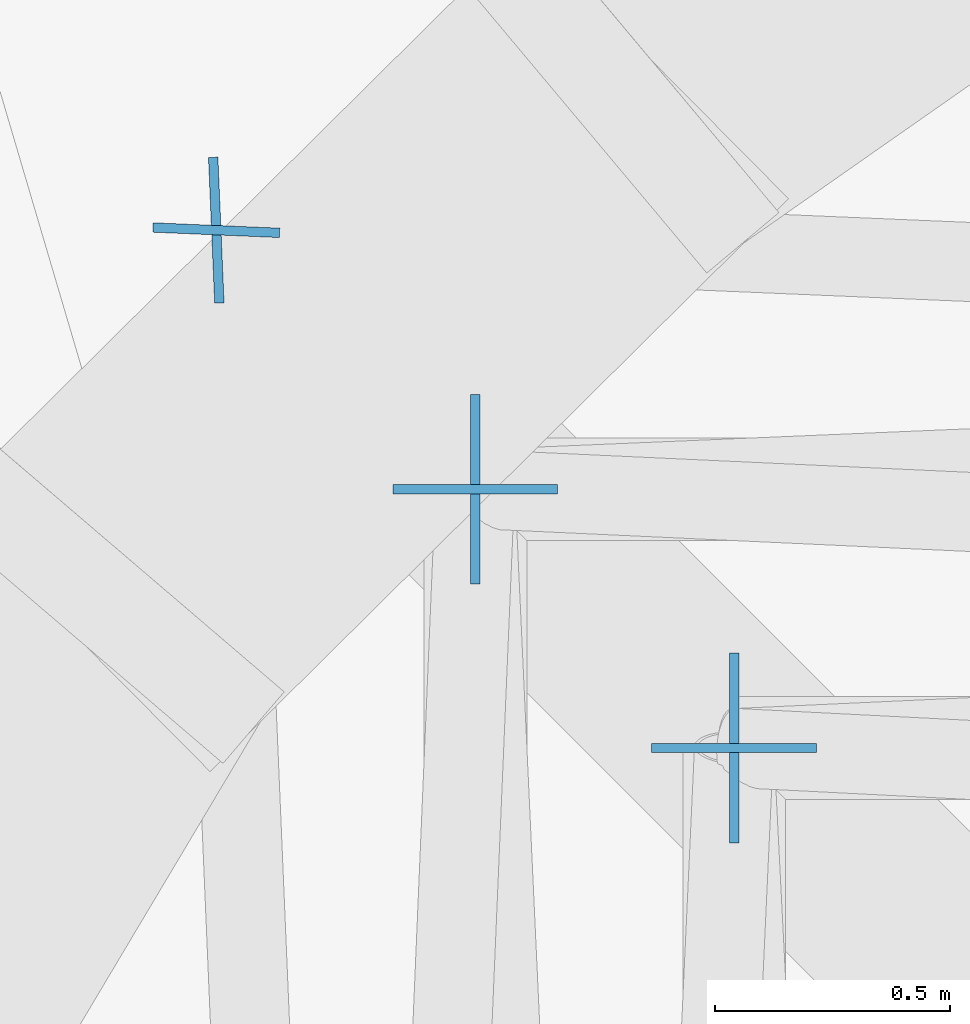
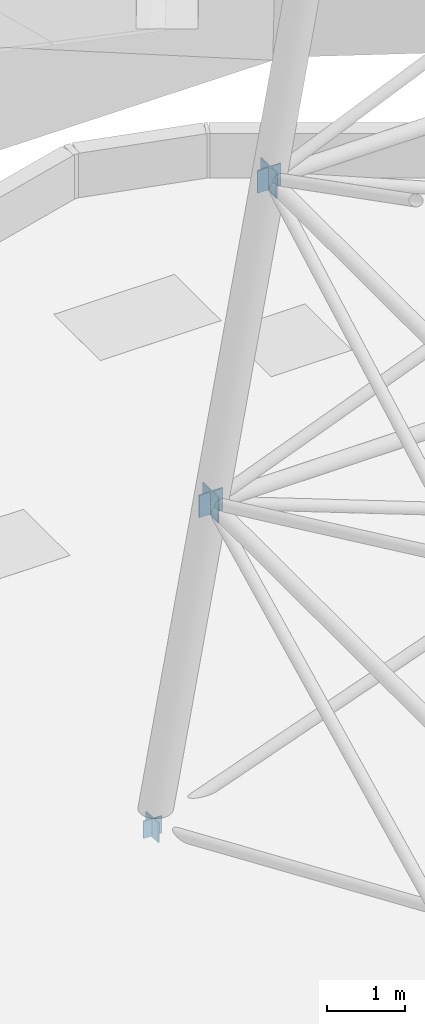
# One storey, part 9 of 27: 6 discrete accessories.
"""IFC4 building model written with IfcOpenShell, lengths in metres."""

from ifc_helpers import new_model, si_unit, direction, frame, origin, origin_2d, place, context, subcontext, project, spatial, rectangle, extrude, material, layer, layer_set, type_object, element, save


model = new_model("IFC4")

# Units and contexts
model_context = context("Model", 3, precision=1e-05, world=origin(), true_north=direction((0.0, 1.0)))
body_context = subcontext(model_context, "Body", "Model", "MODEL_VIEW")
ifc_project = project(units=[si_unit("LENGTHUNIT", "METRE"), si_unit("AREAUNIT", "SQUARE_METRE"), si_unit("VOLUMEUNIT", "CUBIC_METRE"), si_unit("PLANEANGLEUNIT", "RADIAN"), si_unit("MASSUNIT", "GRAM", prefix="KILO")], contexts=[model_context])

# Site, building, storey
site_placement = place(None, origin())
site = spatial("IfcSite", under=ifc_project, at=site_placement, CompositionType="ELEMENT")
building_placement = place(site_placement, origin())
building = spatial("IfcBuilding", under=site, at=building_placement, Name="Ayvan Gate Tower", CompositionType="ELEMENT")
storey_placement = place(building_placement, frame((0.0, 0.0, 267.699951171875)))
storey = spatial("IfcBuildingStorey", under=building, at=storey_placement, Name="Roof", CompositionType="ELEMENT", Elevation=267.699951171875)

# Discrete accessories
ifc_material = material(Name="Steel S460ML", Category="steel")
ifc_layer = layer(ifc_material, 0.02001953125)
ifc_layer_set = layer_set([ifc_layer], Name="Steel S460ML")
discrete_accessory_type = type_object("IfcDiscreteAccessoryType", Name="Gusset plate 20 mm", PredefinedType="BRACKET", material=ifc_layer_set)
discrete_accessory_1_placement = place(storey_placement, frame((-6.771484375, 6.771484375, -0.134765625), z_axis=(0.0, 0.0, 1.0), x_axis=(-0.999104610978, 0.042308111772, 0.0)))
element("IfcDiscreteAccessory", 1, at=discrete_accessory_1_placement, inside=storey, type_object=discrete_accessory_type, Name="Gusset plate MAST BRACE 1-1B", PredefinedType="BRACKET", context=body_context, shape_type="SweptSolid", body=[
    extrude(rectangle(XDim=0.269287109375, YDim=0.02001953125, at=origin_2d()), origin(), (0.0, 0.0, 1.0), 0.269287109375),
])
discrete_accessory_2_placement = place(storey_placement, frame((-6.771484375, 6.771484375, -0.15478515625), z_axis=(0.0, 0.0, 1.0), x_axis=(-0.042308111772, 0.999104610978, 0.0)))
element("IfcDiscreteAccessory", 2, at=discrete_accessory_2_placement, inside=storey, type_object=discrete_accessory_type, Name="Gusset plate MAST BRACE 1-2A", PredefinedType="BRACKET", context=body_context, shape_type="SweptSolid", body=[
    extrude(rectangle(XDim=0.309814453125, YDim=0.02001953125, at=origin_2d()), origin(), (0.0, 0.0, 1.0), 0.309814453125),
])
discrete_accessory_3_placement = place(storey_placement, frame((-6.22119140625, 6.22119140625, 5.07470703125), z_axis=(0.0, 0.0, 1.0), x_axis=(1.0, 0.0, 0.0)))
element("IfcDiscreteAccessory", 3, at=discrete_accessory_3_placement, inside=storey, type_object=discrete_accessory_type, Name="Gusset plate MAST RING 1-1", PredefinedType="BRACKET", context=body_context, shape_type="SweptSolid", body=[
    extrude(rectangle(XDim=0.3505859375, YDim=0.02001953125, at=origin_2d()), origin(), (0.0, 0.0, 1.0), 0.3505859375),
])
discrete_accessory_4_placement = place(storey_placement, frame((-6.22119140625, 6.22119140625, 5.04833984375), z_axis=(0.0, 0.0, 1.0), x_axis=(0.0, 1.0, 0.0)))
element("IfcDiscreteAccessory", 4, at=discrete_accessory_4_placement, inside=storey, type_object=discrete_accessory_type, Name="Gusset plate MAST RING 1-2", PredefinedType="BRACKET", context=body_context, shape_type="SweptSolid", body=[
    extrude(rectangle(XDim=0.403076171875, YDim=0.02001953125, at=origin_2d()), origin(), (0.0, 0.0, 1.0), 0.403076171875),
])
discrete_accessory_5_placement = place(storey_placement, frame((-5.671142578125, 5.671142578125, 10.32470703125), z_axis=(0.0, 0.0, 1.0), x_axis=(1.0, 0.0, 0.0)))
element("IfcDiscreteAccessory", 5, at=discrete_accessory_5_placement, inside=storey, type_object=discrete_accessory_type, Name="Gusset plate MAST RING 2-1", PredefinedType="BRACKET", context=body_context, shape_type="SweptSolid", body=[
    extrude(rectangle(XDim=0.3505859375, YDim=0.02001953125, at=origin_2d()), origin(), (0.0, 0.0, 1.0), 0.3505859375),
])
discrete_accessory_6_placement = place(storey_placement, frame((-5.671142578125, 5.671142578125, 10.29833984375), z_axis=(0.0, 0.0, 1.0), x_axis=(0.0, 1.0, 0.0)))
element("IfcDiscreteAccessory", 6, at=discrete_accessory_6_placement, inside=storey, type_object=discrete_accessory_type, Name="Gusset plate MAST RING 2-2", PredefinedType="BRACKET", context=body_context, shape_type="SweptSolid", body=[
    extrude(rectangle(XDim=0.403076171875, YDim=0.02001953125, at=origin_2d()), origin(), (0.0, 0.0, 1.0), 0.403076171875),
])

save(model, "model.ifc")
